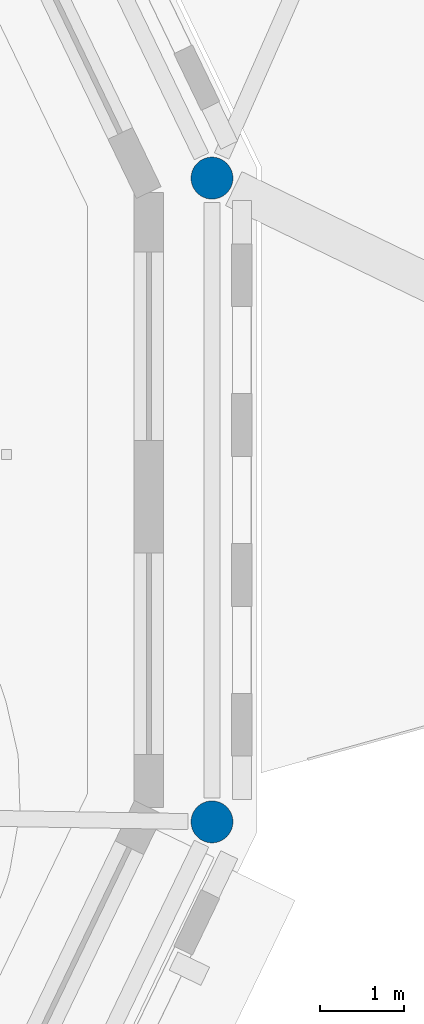
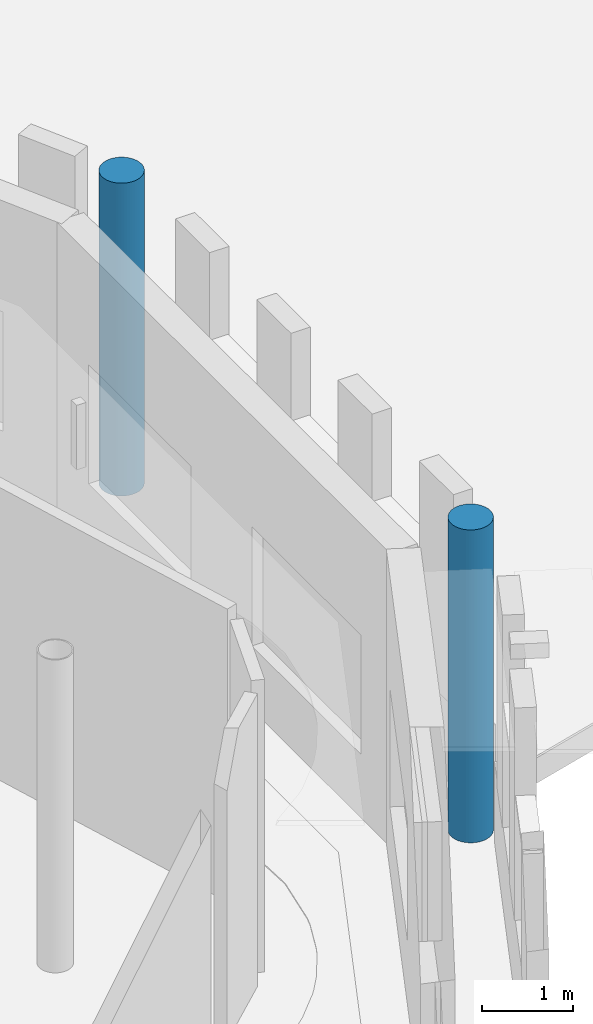
# One storey, part 2 of 90: 2 columns.
"""IFC4 building model written with IfcOpenShell, lengths in metres."""

from ifc_helpers import new_model, si_unit, direction, frame, origin, origin_2d, place, context, subcontext, project, spatial, circle, extrude, material, material_profile, profile_set, type_object, element, save


model = new_model("IFC4")

# Units and contexts
model_context = context("Model", 3, precision=1e-05, world=origin(), true_north=direction((0.0, 1.0)))
body_context = subcontext(model_context, "Body", "Model", "MODEL_VIEW")
ifc_project = project(units=[si_unit("LENGTHUNIT", "METRE"), si_unit("AREAUNIT", "SQUARE_METRE"), si_unit("VOLUMEUNIT", "CUBIC_METRE"), si_unit("PLANEANGLEUNIT", "RADIAN"), si_unit("MASSUNIT", "GRAM", prefix="KILO")], contexts=[model_context])

# Site, building, storey
site_placement = place(None, origin())
site = spatial("IfcSite", under=ifc_project, at=site_placement, CompositionType="ELEMENT")
building_placement = place(site_placement, origin())
building = spatial("IfcBuilding", under=site, at=building_placement, Name="Wrenclough Park School", CompositionType="ELEMENT")
storey_placement = place(building_placement, frame((0.0, 0.0, 8.39990234375)))
storey = spatial("IfcBuildingStorey", under=building, at=storey_placement, Name="L02", CompositionType="ELEMENT", Elevation=8.39990234375)

# Columns
ifc_material = material(Name="Concrete C40/50", Category="concrete")
ifc_material_profile = material_profile(ifc_material, circle(Radius=0.25, at=origin_2d()), Name="RC COL D500")
ifc_profile_set = profile_set([ifc_material_profile], Name="Concrete C40/50")
column_type = type_object("IfcColumnType", Name="STR-COL-RCD500", PredefinedType="COLUMN", material=ifc_profile_set)
for number, where, z_axis, x_axis, name in (
    (1, (53.3173828125, 27.33837890625, 0.0), (0.0, 0.0, 1.0), (-0.222569549971, 0.974916814618, 0.0), "D2 L02 column D2-OUT-01"),
    (2, (53.3173828125, 19.66162109375, 0.0), (0.0, 0.0, 1.0), (0.222569549971, 0.974916814618, 0.0), "D2 L02 column D2-OUT-14"),
):
    element("IfcColumn", number, at=place(storey_placement, frame(where, z_axis=z_axis, x_axis=x_axis)), inside=storey, type_object=column_type, Name=name, PredefinedType="COLUMN", context=body_context, shape_type="SweptSolid", body=[
        extrude(circle(Radius=0.25, at=origin_2d()), origin(), (0.0, 0.0, 1.0), 4.2001953125),
    ])

save(model, "model.ifc")
